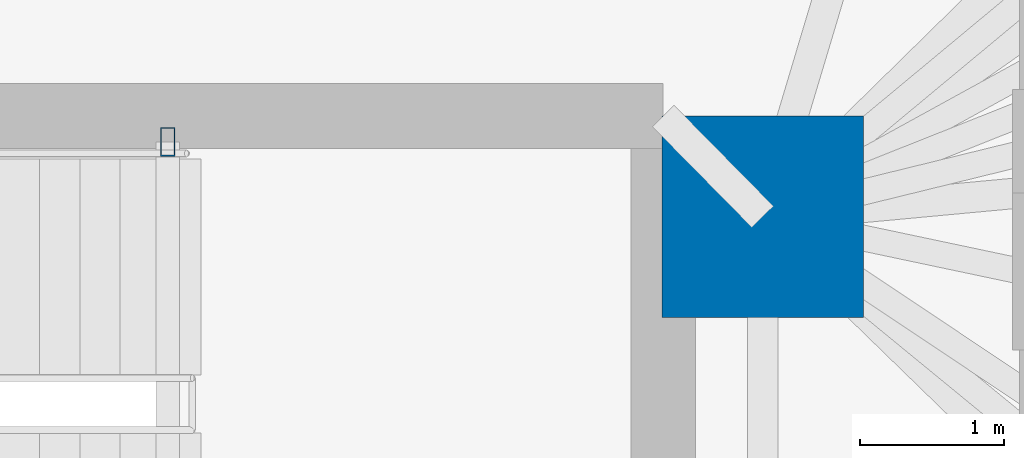
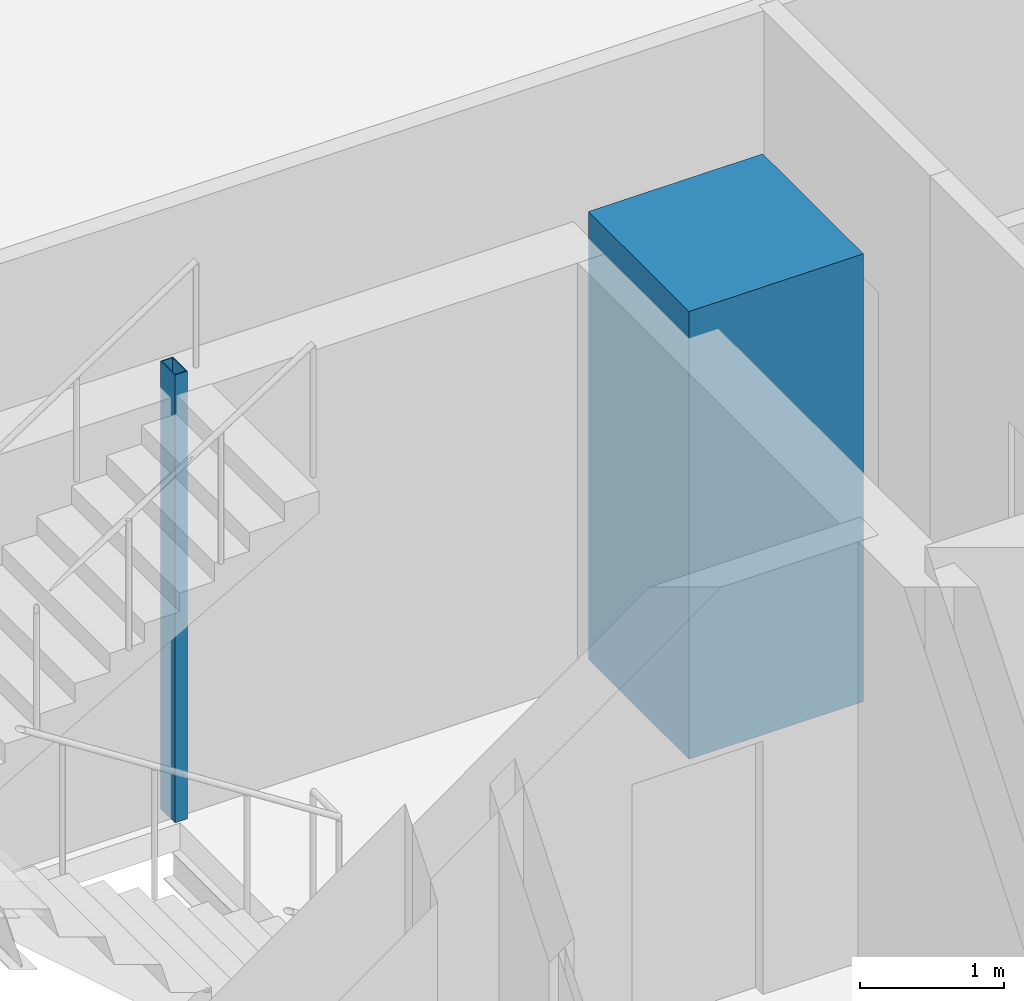
# One storey, part 4 of 17: 2 columns.
"""IFC4 building model written with IfcOpenShell, lengths in metres."""

from ifc_helpers import new_model, si_unit, direction, frame, origin, origin_2d, place, context, subcontext, project, spatial, rectangle, hollow_rectangle, extrude, material, material_profile, profile_set, type_object, element, save


model = new_model("IFC4")

# Units and contexts
model_context = context("Model", 3, precision=1e-05, world=origin(), true_north=direction((0.0, 1.0)))
body_context = subcontext(model_context, "Body", "Model", "MODEL_VIEW")
ifc_project = project(units=[si_unit("LENGTHUNIT", "METRE"), si_unit("AREAUNIT", "SQUARE_METRE"), si_unit("VOLUMEUNIT", "CUBIC_METRE"), si_unit("PLANEANGLEUNIT", "RADIAN"), si_unit("MASSUNIT", "GRAM", prefix="KILO")], contexts=[model_context])

# Site, building, storey
site_placement = place(None, origin())
site = spatial("IfcSite", under=ifc_project, at=site_placement, CompositionType="ELEMENT")
building_placement = place(site_placement, origin())
building = spatial("IfcBuilding", under=site, at=building_placement, Name="Menara Jurai Vektor", CompositionType="ELEMENT")
storey_placement = place(building_placement, frame((0.0, 0.0, 56.0)))
storey = spatial("IfcBuildingStorey", under=building, at=storey_placement, Name="L13", CompositionType="ELEMENT", Elevation=56.0)

# Columns
ifc_material_1 = material(Name="Concrete C60/75", Category="concrete")
ifc_material_profile_1 = material_profile(ifc_material_1, rectangle(XDim=1.39990234375, YDim=1.39990234375, at=origin_2d()), Name="RC 1400x1400")
ifc_profile_set_1 = profile_set([ifc_material_profile_1], Name="Concrete C60/75")
column_type_1 = type_object("IfcColumnType", Name="STR-COL-RC1400", PredefinedType="COLUMN", material=ifc_profile_set_1)
column_1_placement = place(storey_placement, frame((15.25, 4.89990234375, 0.0), z_axis=(0.0, 0.0, 1.0), x_axis=(1.0, 0.0, 0.0)))
element("IfcColumn", 1, at=column_1_placement, inside=storey, type_object=column_type_1, Name="Core Spine Column CE-NE L13", PredefinedType="COLUMN", context=body_context, shape_type="SweptSolid", body=[
    extrude(rectangle(XDim=1.39990234375, YDim=1.39990234375, at=origin_2d()), origin(), (0.0, 0.0, 1.0), 3.800048828125),
])
ifc_material_2 = material(Name="Steel S355", Category="steel")
ifc_material_profile_2 = material_profile(ifc_material_2, hollow_rectangle(XDim=0.10009765625, YDim=0.199951171875, WallThickness=0.008056640625, at=origin_2d()), Name="RHS 200x100x8")
ifc_profile_set_2 = profile_set([ifc_material_profile_2], Name="Steel S355")
column_type_2 = type_object("IfcColumnType", Name="STR-COL-STAIR", PredefinedType="COLUMN", material=ifc_profile_set_2)
column_2_placement = place(storey_placement, frame((11.1201171875, 5.419921875, 0.0), z_axis=(0.0, 0.0, 1.0), x_axis=(1.0, 0.0, 0.0)))
element("IfcColumn", 2, at=column_2_placement, inside=storey, type_object=column_type_2, Name="Stair Well Header Column ST2-P2 L13", PredefinedType="COLUMN", context=body_context, shape_type="SweptSolid", body=[
    extrude(hollow_rectangle(XDim=0.10009765625, YDim=0.199951171875, WallThickness=0.008056640625, at=origin_2d()), origin(), (0.0, 0.0, 1.0), 3.800048828125),
])

save(model, "model.ifc")
